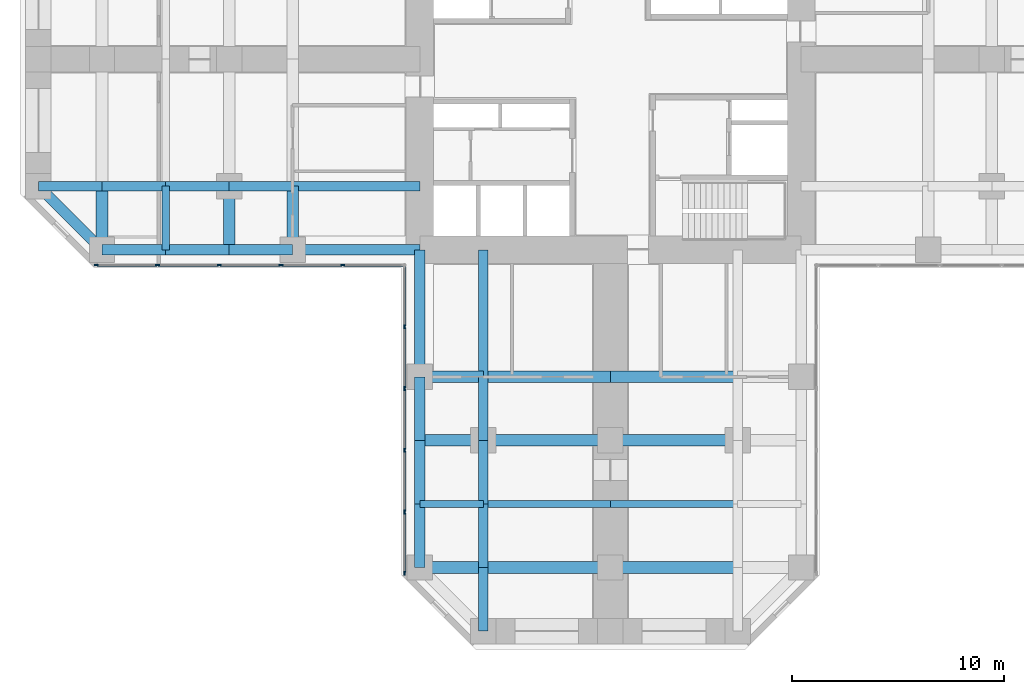
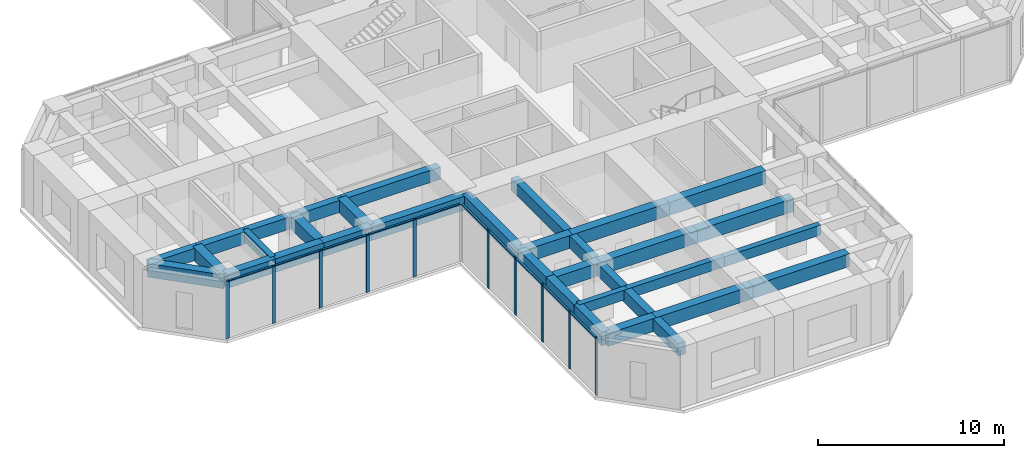
# One storey, part 2 of 12: 35 beams, 20 members, 2 elements without a shape of their own.
"""IFC4 building model written with IfcOpenShell, lengths in metres."""

from ifc_helpers import new_model, si_unit, direction, frame, origin, origin_2d, place, context, subcontext, project, spatial, rectangle, extrude, material, material_profile, profile_set, type_object, element, aggregate, save


model = new_model("IFC4")

# Units and contexts
model_context = context("Model", 3, precision=1e-05, world=origin(), true_north=direction((0.0, 1.0)))
body_context = subcontext(model_context, "Body", "Model", "MODEL_VIEW")
ifc_project = project(units=[si_unit("LENGTHUNIT", "METRE"), si_unit("AREAUNIT", "SQUARE_METRE"), si_unit("VOLUMEUNIT", "CUBIC_METRE"), si_unit("PLANEANGLEUNIT", "RADIAN"), si_unit("MASSUNIT", "GRAM", prefix="KILO")], contexts=[model_context])

# Site, building, storey
site_placement = place(None, origin())
site = spatial("IfcSite", under=ifc_project, at=site_placement, CompositionType="ELEMENT")
building_placement = place(site_placement, origin())
building = spatial("IfcBuilding", under=site, at=building_placement, Name="Torre Cruceta", CompositionType="ELEMENT")
storey_placement = place(building_placement, frame((0.0, 0.0, 43.5)))
storey = spatial("IfcBuildingStorey", under=building, at=storey_placement, Name="L10", CompositionType="ELEMENT", Elevation=43.5)

# Beams
ifc_material_1 = material(Name="Concrete G60 (fck 60 MPa)", Category="concrete")
ifc_material_profile_1 = material_profile(ifc_material_1, rectangle(XDim=0.449951171875, YDim=0.800048828125, at=origin_2d()), Name="RC 450X800")
ifc_profile_set_1 = profile_set([ifc_material_profile_1], Name="Concrete G60 (fck 60 MPa)")
beam_type_1 = type_object("IfcBeamType", Name="COLUMN LINE BEAM RC 450X800", PredefinedType="BEAM", material=ifc_profile_set_1)
beam_1_placement = place(storey_placement, frame((-6.0, -9.0, 3.39990234375), z_axis=(0.0, -1.0, 0.0), x_axis=(1.0, 0.0, 0.0)))
element("IfcBeam", 1, at=beam_1_placement, inside=storey, type_object=beam_type_1, Name="LB1 L10 S col- 1", PredefinedType="BEAM", context=body_context, shape_type="SweptSolid", body=[
    extrude(rectangle(XDim=0.449951171875, YDim=0.800048828125, at=origin_2d()), origin(), (0.0, 0.0, 1.0), 6.0),
])
for number, where, z_axis, x_axis, name in (
    (2, (-6.0, -15.0, 3.39990234375), (0.0, -1.0, 0.0), (1.0, 0.0, 0.0), "LB1 L10 S col- 2"),
    (3, (-6.0, -18.0, 3.39990234375), (0.0, -1.0, 0.0), (1.0, 0.0, 0.0), "LB1 L10 S col- 3"),
    (4, (-6.0, -21.0, 3.39990234375), (0.0, -1.0, 0.0), (1.0, 0.0, 0.0), "LB1 L10 S col- 4"),
    (5, (-6.0, -24.0, 3.39990234375), (0.0, -1.0, 0.0), (1.0, 0.0, 0.0), "LB1 L10 S col- 5"),
):
    element("IfcBeam", number, at=place(storey_placement, frame(where, z_axis=z_axis, x_axis=x_axis)), inside=storey, type_object=beam_type_1, Name=name, PredefinedType="BEAM", context=body_context, shape_type="SweptSolid", body=[
        extrude(rectangle(XDim=0.449951171875, YDim=0.800048828125, at=origin_2d()), origin(), (0.0, 0.0, 1.0), 3.0),
    ])
beam_2_placement = place(storey_placement, frame((-9.0, -6.0, 3.39990234375), z_axis=(-1.0, 0.0, 0.0), x_axis=(0.0, -1.0, 0.0)))
element("IfcBeam", 6, at=beam_2_placement, inside=storey, type_object=beam_type_1, Name="LB1 L10 W col+ 1", PredefinedType="BEAM", context=body_context, shape_type="SweptSolid", body=[
    extrude(rectangle(XDim=0.449951171875, YDim=0.800048828125, at=origin_2d()), origin(), (0.0, 0.0, 1.0), 6.0),
])
for number, where, z_axis, x_axis, name in (
    (7, (-15.0, -6.0, 3.39990234375), (-1.0, 0.0, 0.0), (0.0, -1.0, 0.0), "LB1 L10 W col+ 2"),
    (8, (-18.0, -6.0, 3.39990234375), (-1.0, 0.0, 0.0), (0.0, -1.0, 0.0), "LB1 L10 W col+ 3"),
    (9, (-21.0, -6.0, 3.39990234375), (-1.0, 0.0, 0.0), (0.0, -1.0, 0.0), "LB1 L10 W col+ 4"),
    (10, (-24.0, -6.0, 3.39990234375), (-1.0, 0.0, 0.0), (0.0, -1.0, 0.0), "LB1 L10 W col+ 5"),
):
    element("IfcBeam", number, at=place(storey_placement, frame(where, z_axis=z_axis, x_axis=x_axis)), inside=storey, type_object=beam_type_1, Name=name, PredefinedType="BEAM", context=body_context, shape_type="SweptSolid", body=[
        extrude(rectangle(XDim=0.449951171875, YDim=0.800048828125, at=origin_2d()), origin(), (0.0, 0.0, 1.0), 3.0),
    ])
ifc_material_2 = material(Name="Concrete G60 (fck 60 MPa)", Category="concrete")
ifc_material_profile_2 = material_profile(ifc_material_2, rectangle(XDim=0.550048828125, YDim=0.85009765625, at=origin_2d()), Name="RC 550X850")
ifc_profile_set_2 = profile_set([ifc_material_profile_2], Name="Concrete G60 (fck 60 MPa)")
beam_type_2 = type_object("IfcBeamType", Name="CROSS BEAM RC 550X850", PredefinedType="BEAM", material=ifc_profile_set_2)
beam_3_placement = place(storey_placement, frame((-9.0, -15.0, 3.375), z_axis=(1.0, 0.0, 0.0), x_axis=(0.0, 1.0, 0.0)))
element("IfcBeam", 11, at=beam_3_placement, inside=storey, type_object=beam_type_2, Name="GB4 L10 S cross15 1", PredefinedType="BEAM", context=body_context, shape_type="SweptSolid", body=[
    extrude(rectangle(XDim=0.550048828125, YDim=0.85009765625, at=origin_2d()), origin(), (0.0, 0.0, 1.0), 3.0),
])
for number, where, z_axis, x_axis, name in (
    (12, (-6.0, -15.0, 3.375), (1.0, 0.0, 0.0), (0.0, 1.0, 0.0), "GB4 L10 S cross15 2"),
    (13, (0.0, -15.0, 3.375), (1.0, 0.0, 0.0), (0.0, 1.0, 0.0), "GB4 L10 S cross15 3"),
):
    element("IfcBeam", number, at=place(storey_placement, frame(where, z_axis=z_axis, x_axis=x_axis)), inside=storey, type_object=beam_type_2, Name=name, PredefinedType="BEAM", context=body_context, shape_type="SweptSolid", body=[
        extrude(rectangle(XDim=0.550048828125, YDim=0.85009765625, at=origin_2d()), origin(), (0.0, 0.0, 1.0), 6.0),
    ])
beam_4_placement = place(storey_placement, frame((-9.0, -18.0, 3.375), z_axis=(1.0, 0.0, 0.0), x_axis=(0.0, 1.0, 0.0)))
element("IfcBeam", 14, at=beam_4_placement, inside=storey, type_object=beam_type_2, Name="GB4 L10 S cross18 1", PredefinedType="BEAM", context=body_context, shape_type="SweptSolid", body=[
    extrude(rectangle(XDim=0.550048828125, YDim=0.85009765625, at=origin_2d()), origin(), (0.0, 0.0, 1.0), 3.0),
])
for number, where, z_axis, x_axis, name in (
    (15, (-6.0, -18.0, 3.375), (1.0, 0.0, 0.0), (0.0, 1.0, 0.0), "GB4 L10 S cross18 2"),
    (16, (0.0, -18.0, 3.375), (1.0, 0.0, 0.0), (0.0, 1.0, 0.0), "GB4 L10 S cross18 3"),
):
    element("IfcBeam", number, at=place(storey_placement, frame(where, z_axis=z_axis, x_axis=x_axis)), inside=storey, type_object=beam_type_2, Name=name, PredefinedType="BEAM", context=body_context, shape_type="SweptSolid", body=[
        extrude(rectangle(XDim=0.550048828125, YDim=0.85009765625, at=origin_2d()), origin(), (0.0, 0.0, 1.0), 6.0),
    ])
beam_5_placement = place(storey_placement, frame((-9.0, -24.0, 3.375), z_axis=(1.0, 0.0, 0.0), x_axis=(0.0, 1.0, 0.0)))
element("IfcBeam", 17, at=beam_5_placement, inside=storey, type_object=beam_type_2, Name="GB4 L10 S cross24 1", PredefinedType="BEAM", context=body_context, shape_type="SweptSolid", body=[
    extrude(rectangle(XDim=0.550048828125, YDim=0.85009765625, at=origin_2d()), origin(), (0.0, 0.0, 1.0), 3.0),
])
for number, where, z_axis, x_axis, name in (
    (18, (-6.0, -24.0, 3.375), (1.0, 0.0, 0.0), (0.0, 1.0, 0.0), "GB4 L10 S cross24 2"),
    (19, (0.0, -24.0, 3.375), (1.0, 0.0, 0.0), (0.0, 1.0, 0.0), "GB4 L10 S cross24 3"),
):
    element("IfcBeam", number, at=place(storey_placement, frame(where, z_axis=z_axis, x_axis=x_axis)), inside=storey, type_object=beam_type_2, Name=name, PredefinedType="BEAM", context=body_context, shape_type="SweptSolid", body=[
        extrude(rectangle(XDim=0.550048828125, YDim=0.85009765625, at=origin_2d()), origin(), (0.0, 0.0, 1.0), 6.0),
    ])
for number, where, z_axis, x_axis, name in (
    (20, (-15.0, -6.0, 3.375), (0.0, -1.0, 0.0), (1.0, 0.0, 0.0), "GB4 L10 W cross15 4"),
    (21, (-18.0, -6.0, 3.375), (0.0, -1.0, 0.0), (1.0, 0.0, 0.0), "GB4 L10 W cross18 4"),
    (22, (-24.0, -6.0, 3.375), (0.0, -1.0, 0.0), (1.0, 0.0, 0.0), "GB4 L10 W cross24 4"),
):
    element("IfcBeam", number, at=place(storey_placement, frame(where, z_axis=z_axis, x_axis=x_axis)), inside=storey, type_object=beam_type_2, Name=name, PredefinedType="BEAM", context=body_context, shape_type="SweptSolid", body=[
        extrude(rectangle(XDim=0.550048828125, YDim=0.85009765625, at=origin_2d()), origin(), (0.0, 0.0, 1.0), 3.0),
    ])

# Curtain wall, members
ifc_material_3 = material(Name="Aluminium unitised curtain wall", Category="aluminium")
curtain_wall_type = type_object("IfcCurtainWallType", Name="CURTAIN WALL CW-A OFFICE LOW RISE", PredefinedType="USERDEFINED", material=ifc_material_3)
curtain_wall_1_placement = place(storey_placement, origin())
curtain_wall_1 = element("IfcCurtainWall", 23, at=curtain_wall_1_placement, inside=storey, type_object=curtain_wall_type, Name="CW-A L10 W side 14", ObjectType="UNITISED", PredefinedType="USERDEFINED")
ifc_material_4 = material(Name="Aluminium mullion", Category="aluminium")
ifc_material_profile_3 = material_profile(ifc_material_4, rectangle(XDim=0.06494140625, YDim=0.199951171875, at=origin_2d()), Name="AL 65X200")
ifc_profile_set_3 = profile_set([ifc_material_profile_3], Name="Aluminium mullion")
member_type_1 = type_object("IfcMemberType", Name="CW-A MULLION 65X200", PredefinedType="MULLION", material=ifc_profile_set_3)
member_1_placement = place(storey_placement, frame((-24.265625, -9.719970703125, 0.0), z_axis=(0.0, 0.0, 1.0), x_axis=(0.0, 1.0, 0.0)))
member_1 = element("IfcMember", 24, at=member_1_placement, type_object=member_type_1, Name="CW-A mullion 1", PredefinedType="MULLION", context=body_context, shape_type="SweptSolid", body=[
    extrude(rectangle(XDim=0.06494140625, YDim=0.199951171875, at=origin_2d()), origin(), (0.0, 0.0, 1.0), 3.800048828125),
])
member_2_placement = place(storey_placement, frame((-21.382568359375, -9.719970703125, 0.0), z_axis=(0.0, 0.0, 1.0), x_axis=(0.0, 1.0, 0.0)))
member_2 = element("IfcMember", 25, at=member_2_placement, type_object=member_type_1, Name="CW-A mullion 2", PredefinedType="MULLION", context=body_context, shape_type="SweptSolid", body=[
    extrude(rectangle(XDim=0.06494140625, YDim=0.199951171875, at=origin_2d()), origin(), (0.0, 0.0, 1.0), 3.800048828125),
])
member_3_placement = place(storey_placement, frame((-18.467041015625, -9.719970703125, 0.0), z_axis=(0.0, 0.0, 1.0), x_axis=(0.0, 1.0, 0.0)))
member_3 = element("IfcMember", 26, at=member_3_placement, type_object=member_type_1, Name="CW-A mullion 3", PredefinedType="MULLION", context=body_context, shape_type="SweptSolid", body=[
    extrude(rectangle(XDim=0.06494140625, YDim=0.199951171875, at=origin_2d()), origin(), (0.0, 0.0, 1.0), 3.800048828125),
])
member_4_placement = place(storey_placement, frame((-15.55126953125, -9.719970703125, 0.0), z_axis=(0.0, 0.0, 1.0), x_axis=(0.0, 1.0, 0.0)))
member_4 = element("IfcMember", 27, at=member_4_placement, type_object=member_type_1, Name="CW-A mullion 4", PredefinedType="MULLION", context=body_context, shape_type="SweptSolid", body=[
    extrude(rectangle(XDim=0.06494140625, YDim=0.199951171875, at=origin_2d()), origin(), (0.0, 0.0, 1.0), 3.800048828125),
])
member_5_placement = place(storey_placement, frame((-12.6357421875, -9.719970703125, 0.0), z_axis=(0.0, 0.0, 1.0), x_axis=(0.0, 1.0, 0.0)))
member_5 = element("IfcMember", 28, at=member_5_placement, type_object=member_type_1, Name="CW-A mullion 5", PredefinedType="MULLION", context=body_context, shape_type="SweptSolid", body=[
    extrude(rectangle(XDim=0.06494140625, YDim=0.199951171875, at=origin_2d()), origin(), (0.0, 0.0, 1.0), 3.800048828125),
])

curtain_wall_2_placement = place(storey_placement, origin())
curtain_wall_2 = element("IfcCurtainWall", 29, at=curtain_wall_2_placement, inside=storey, type_object=curtain_wall_type, Name="CW-A L10 S side 15", ObjectType="UNITISED", PredefinedType="USERDEFINED")
member_6_placement = place(storey_placement, frame((-9.719970703125, -12.6357421875, 0.0), z_axis=(0.0, 0.0, 1.0), x_axis=(1.0, 0.0, 0.0)))
member_6 = element("IfcMember", 30, at=member_6_placement, type_object=member_type_1, Name="CW-A mullion 2", PredefinedType="MULLION", context=body_context, shape_type="SweptSolid", body=[
    extrude(rectangle(XDim=0.06494140625, YDim=0.199951171875, at=origin_2d()), origin(), (0.0, 0.0, 1.0), 3.800048828125),
])
member_7_placement = place(storey_placement, frame((-9.719970703125, -15.55126953125, 0.0), z_axis=(0.0, 0.0, 1.0), x_axis=(1.0, 0.0, 0.0)))
member_7 = element("IfcMember", 31, at=member_7_placement, type_object=member_type_1, Name="CW-A mullion 3", PredefinedType="MULLION", context=body_context, shape_type="SweptSolid", body=[
    extrude(rectangle(XDim=0.06494140625, YDim=0.199951171875, at=origin_2d()), origin(), (0.0, 0.0, 1.0), 3.800048828125),
])
member_8_placement = place(storey_placement, frame((-9.719970703125, -18.467041015625, 0.0), z_axis=(0.0, 0.0, 1.0), x_axis=(1.0, 0.0, 0.0)))
member_8 = element("IfcMember", 32, at=member_8_placement, type_object=member_type_1, Name="CW-A mullion 4", PredefinedType="MULLION", context=body_context, shape_type="SweptSolid", body=[
    extrude(rectangle(XDim=0.06494140625, YDim=0.199951171875, at=origin_2d()), origin(), (0.0, 0.0, 1.0), 3.800048828125),
])
member_9_placement = place(storey_placement, frame((-9.719970703125, -21.382568359375, 0.0), z_axis=(0.0, 0.0, 1.0), x_axis=(1.0, 0.0, 0.0)))
member_9 = element("IfcMember", 33, at=member_9_placement, type_object=member_type_1, Name="CW-A mullion 5", PredefinedType="MULLION", context=body_context, shape_type="SweptSolid", body=[
    extrude(rectangle(XDim=0.06494140625, YDim=0.199951171875, at=origin_2d()), origin(), (0.0, 0.0, 1.0), 3.800048828125),
])
member_10_placement = place(storey_placement, frame((-9.719970703125, -24.265625, 0.0), z_axis=(0.0, 0.0, 1.0), x_axis=(1.0, 0.0, 0.0)))
member_10 = element("IfcMember", 34, at=member_10_placement, type_object=member_type_1, Name="CW-A mullion 6", PredefinedType="MULLION", context=body_context, shape_type="SweptSolid", body=[
    extrude(rectangle(XDim=0.06494140625, YDim=0.199951171875, at=origin_2d()), origin(), (0.0, 0.0, 1.0), 3.800048828125),
])

# Member
ifc_material_5 = material(Name="Aluminium transom", Category="aluminium")
ifc_material_profile_4 = material_profile(ifc_material_5, rectangle(XDim=0.1201171875, YDim=0.06494140625, at=origin_2d()), Name="AL 120X65")
ifc_profile_set_4 = profile_set([ifc_material_profile_4], Name="Aluminium transom")
member_type_2 = type_object("IfcMemberType", Name="CW-A TRANSOM 65X120", PredefinedType="USERDEFINED", material=ifc_profile_set_4)
member_11_placement = place(storey_placement, frame((-24.233154296875, -9.719970703125, 3.767578125), z_axis=(1.0, 0.0, 0.0), x_axis=(0.0, 1.0, 0.0)))
member_11 = element("IfcMember", 35, at=member_11_placement, type_object=member_type_2, Name="CW-A transom 1", ObjectType="TRANSOM", PredefinedType="USERDEFINED", context=body_context, shape_type="SweptSolid", body=[
    extrude(rectangle(XDim=0.1201171875, YDim=0.06494140625, at=origin_2d()), origin(), (0.0, 0.0, 1.0), 2.818115234375),
])

member_12_placement = place(storey_placement, frame((-21.35009765625, -9.719970703125, 3.767578125), z_axis=(1.0, 0.0, 0.0), x_axis=(0.0, 1.0, 0.0)))
member_12 = element("IfcMember", 36, at=member_12_placement, type_object=member_type_2, Name="CW-A transom 2", ObjectType="TRANSOM", PredefinedType="USERDEFINED", context=body_context, shape_type="SweptSolid", body=[
    extrude(rectangle(XDim=0.1201171875, YDim=0.06494140625, at=origin_2d()), origin(), (0.0, 0.0, 1.0), 2.8505859375),
])

member_13_placement = place(storey_placement, frame((-18.434326171875, -9.719970703125, 3.767578125), z_axis=(1.0, 0.0, 0.0), x_axis=(0.0, 1.0, 0.0)))
member_13 = element("IfcMember", 37, at=member_13_placement, type_object=member_type_2, Name="CW-A transom 3", ObjectType="TRANSOM", PredefinedType="USERDEFINED", context=body_context, shape_type="SweptSolid", body=[
    extrude(rectangle(XDim=0.1201171875, YDim=0.06494140625, at=origin_2d()), origin(), (0.0, 0.0, 1.0), 2.8505859375),
])

member_14_placement = place(storey_placement, frame((-15.518798828125, -9.719970703125, 3.767578125), z_axis=(1.0, 0.0, 0.0), x_axis=(0.0, 1.0, 0.0)))
member_14 = element("IfcMember", 38, at=member_14_placement, type_object=member_type_2, Name="CW-A transom 4", ObjectType="TRANSOM", PredefinedType="USERDEFINED", context=body_context, shape_type="SweptSolid", body=[
    extrude(rectangle(XDim=0.1201171875, YDim=0.06494140625, at=origin_2d()), origin(), (0.0, 0.0, 1.0), 2.8505859375),
])

member_15_placement = place(storey_placement, frame((-12.60302734375, -9.719970703125, 3.767578125), z_axis=(1.0, 0.0, 0.0), x_axis=(0.0, 1.0, 0.0)))
member_15 = element("IfcMember", 39, at=member_15_placement, type_object=member_type_2, Name="CW-A transom 5", ObjectType="TRANSOM", PredefinedType="USERDEFINED", context=body_context, shape_type="SweptSolid", body=[
    extrude(rectangle(XDim=0.1201171875, YDim=0.06494140625, at=origin_2d()), origin(), (0.0, 0.0, 1.0), 2.818115234375),
])

aggregate(curtain_wall_1, [member_1, member_2, member_3, member_4, member_5, member_11, member_12, member_13, member_14, member_15])

member_16_placement = place(storey_placement, frame((-9.719970703125, -9.784912109375, 3.767578125), z_axis=(0.0, -1.0, 0.0), x_axis=(1.0, 0.0, 0.0)))
member_16 = element("IfcMember", 40, at=member_16_placement, type_object=member_type_2, Name="CW-A transom 1", ObjectType="TRANSOM", PredefinedType="USERDEFINED", context=body_context, shape_type="SweptSolid", body=[
    extrude(rectangle(XDim=0.1201171875, YDim=0.06494140625, at=origin_2d()), origin(), (0.0, 0.0, 1.0), 2.818115234375),
])

member_17_placement = place(storey_placement, frame((-9.719970703125, -12.668212890625, 3.767578125), z_axis=(0.0, -1.0, 0.0), x_axis=(1.0, 0.0, 0.0)))
member_17 = element("IfcMember", 41, at=member_17_placement, type_object=member_type_2, Name="CW-A transom 2", ObjectType="TRANSOM", PredefinedType="USERDEFINED", context=body_context, shape_type="SweptSolid", body=[
    extrude(rectangle(XDim=0.1201171875, YDim=0.06494140625, at=origin_2d()), origin(), (0.0, 0.0, 1.0), 2.8505859375),
])

member_18_placement = place(storey_placement, frame((-9.719970703125, -15.583740234375, 3.767578125), z_axis=(0.0, -1.0, 0.0), x_axis=(1.0, 0.0, 0.0)))
member_18 = element("IfcMember", 42, at=member_18_placement, type_object=member_type_2, Name="CW-A transom 3", ObjectType="TRANSOM", PredefinedType="USERDEFINED", context=body_context, shape_type="SweptSolid", body=[
    extrude(rectangle(XDim=0.1201171875, YDim=0.06494140625, at=origin_2d()), origin(), (0.0, 0.0, 1.0), 2.8505859375),
])

member_19_placement = place(storey_placement, frame((-9.719970703125, -18.49951171875, 3.767578125), z_axis=(0.0, -1.0, 0.0), x_axis=(1.0, 0.0, 0.0)))
member_19 = element("IfcMember", 43, at=member_19_placement, type_object=member_type_2, Name="CW-A transom 4", ObjectType="TRANSOM", PredefinedType="USERDEFINED", context=body_context, shape_type="SweptSolid", body=[
    extrude(rectangle(XDim=0.1201171875, YDim=0.06494140625, at=origin_2d()), origin(), (0.0, 0.0, 1.0), 2.8505859375),
])

member_20_placement = place(storey_placement, frame((-9.719970703125, -21.4150390625, 3.767578125), z_axis=(0.0, -1.0, 0.0), x_axis=(1.0, 0.0, 0.0)))
member_20 = element("IfcMember", 44, at=member_20_placement, type_object=member_type_2, Name="CW-A transom 5", ObjectType="TRANSOM", PredefinedType="USERDEFINED", context=body_context, shape_type="SweptSolid", body=[
    extrude(rectangle(XDim=0.1201171875, YDim=0.06494140625, at=origin_2d()), origin(), (0.0, 0.0, 1.0), 2.818115234375),
])

aggregate(curtain_wall_2, [member_6, member_7, member_8, member_9, member_10, member_16, member_17, member_18, member_19, member_20])

# Beams
ifc_material_6 = material(Name="Concrete G60 (fck 60 MPa)", Category="concrete")
ifc_material_profile_5 = material_profile(ifc_material_6, rectangle(XDim=0.35009765625, YDim=0.64990234375, at=origin_2d()), Name="RC 350X650")
ifc_profile_set_5 = profile_set([ifc_material_profile_5], Name="Concrete G60 (fck 60 MPa)")
beam_type_3 = type_object("IfcBeamType", Name="SECONDARY BEAM RC 350X650", PredefinedType="JOIST", material=ifc_profile_set_5)
beam_6_placement = place(storey_placement, frame((-9.0, -21.0, 3.47509765625), z_axis=(1.0, 0.0, 0.0), x_axis=(0.0, 1.0, 0.0)))
element("IfcBeam", 45, at=beam_6_placement, inside=storey, type_object=beam_type_3, Name="JB3 L10 S sec21 1", PredefinedType="JOIST", context=body_context, shape_type="SweptSolid", body=[
    extrude(rectangle(XDim=0.35009765625, YDim=0.64990234375, at=origin_2d()), origin(), (0.0, 0.0, 1.0), 3.0),
])
for number, where, z_axis, x_axis, name in (
    (46, (-6.0, -21.0, 3.47509765625), (1.0, 0.0, 0.0), (0.0, 1.0, 0.0), "JB3 L10 S sec21 2"),
    (47, (0.0, -21.0, 3.47509765625), (1.0, 0.0, 0.0), (0.0, 1.0, 0.0), "JB3 L10 S sec21 3"),
):
    element("IfcBeam", number, at=place(storey_placement, frame(where, z_axis=z_axis, x_axis=x_axis)), inside=storey, type_object=beam_type_3, Name=name, PredefinedType="JOIST", context=body_context, shape_type="SweptSolid", body=[
        extrude(rectangle(XDim=0.35009765625, YDim=0.64990234375, at=origin_2d()), origin(), (0.0, 0.0, 1.0), 6.0),
    ])
beam_7_placement = place(storey_placement, frame((-21.0, -6.0, 3.47509765625), z_axis=(0.0, -1.0, 0.0), x_axis=(1.0, 0.0, 0.0)))
element("IfcBeam", 48, at=beam_7_placement, inside=storey, type_object=beam_type_3, Name="JB3 L10 W sec21 4", PredefinedType="JOIST", context=body_context, shape_type="SweptSolid", body=[
    extrude(rectangle(XDim=0.35009765625, YDim=0.64990234375, at=origin_2d()), origin(), (0.0, 0.0, 1.0), 3.0),
])
ifc_material_7 = material(Name="Concrete G60 (fck 60 MPa)", Category="concrete")
ifc_material_profile_6 = material_profile(ifc_material_7, rectangle(XDim=0.5, YDim=0.89990234375, at=origin_2d()), Name="RC 500X900")
ifc_profile_set_6 = profile_set([ifc_material_profile_6], Name="Concrete G60 (fck 60 MPa)")
beam_type_4 = type_object("IfcBeamType", Name="SPANDREL BEAM RC 500X900", PredefinedType="SPANDREL", material=ifc_profile_set_6)
beam_8_placement = place(storey_placement, frame((-9.0, -9.0, 3.35009765625), z_axis=(0.0, -1.0, 0.0), x_axis=(1.0, 0.0, 0.0)))
element("IfcBeam", 49, at=beam_8_placement, inside=storey, type_object=beam_type_4, Name="SB4 L10 S side- 1", PredefinedType="SPANDREL", context=body_context, shape_type="SweptSolid", body=[
    extrude(rectangle(XDim=0.5, YDim=0.89990234375, at=origin_2d()), origin(), (0.0, 0.0, 1.0), 6.0),
])
for number, where, z_axis, x_axis, name in (
    (50, (-9.0, -15.0, 3.35009765625), (0.0, -1.0, 0.0), (1.0, 0.0, 0.0), "SB4 L10 S side- 2"),
    (51, (-9.0, -18.0, 3.35009765625), (0.0, -1.0, 0.0), (1.0, 0.0, 0.0), "SB4 L10 S side- 3"),
    (52, (-9.0, -21.0, 3.35009765625), (0.0, -1.0, 0.0), (1.0, 0.0, 0.0), "SB4 L10 S side- 4"),
):
    element("IfcBeam", number, at=place(storey_placement, frame(where, z_axis=z_axis, x_axis=x_axis)), inside=storey, type_object=beam_type_4, Name=name, PredefinedType="SPANDREL", context=body_context, shape_type="SweptSolid", body=[
        extrude(rectangle(XDim=0.5, YDim=0.89990234375, at=origin_2d()), origin(), (0.0, 0.0, 1.0), 3.0),
    ])
beam_9_placement = place(storey_placement, frame((-9.0, -9.0, 3.35009765625), z_axis=(-1.0, 0.0, 0.0), x_axis=(0.0, -1.0, 0.0)))
element("IfcBeam", 53, at=beam_9_placement, inside=storey, type_object=beam_type_4, Name="SB4 L10 W side+ 1", PredefinedType="SPANDREL", context=body_context, shape_type="SweptSolid", body=[
    extrude(rectangle(XDim=0.5, YDim=0.89990234375, at=origin_2d()), origin(), (0.0, 0.0, 1.0), 6.0),
])
for number, where, z_axis, x_axis, name in (
    (54, (-15.0, -9.0, 3.35009765625), (-1.0, 0.0, 0.0), (0.0, -1.0, 0.0), "SB4 L10 W side+ 2"),
    (55, (-18.0, -9.0, 3.35009765625), (-1.0, 0.0, 0.0), (0.0, -1.0, 0.0), "SB4 L10 W side+ 3"),
    (56, (-21.0, -9.0, 3.35009765625), (-1.0, 0.0, 0.0), (0.0, -1.0, 0.0), "SB4 L10 W side+ 4"),
):
    element("IfcBeam", number, at=place(storey_placement, frame(where, z_axis=z_axis, x_axis=x_axis)), inside=storey, type_object=beam_type_4, Name=name, PredefinedType="SPANDREL", context=body_context, shape_type="SweptSolid", body=[
        extrude(rectangle(XDim=0.5, YDim=0.89990234375, at=origin_2d()), origin(), (0.0, 0.0, 1.0), 3.0),
    ])
beam_10_placement = place(storey_placement, frame((-24.0, -9.0, 3.35009765625), z_axis=(-0.707106781187, 0.707106781187, 0.0), x_axis=(-0.707106781187, -0.707106781187, 0.0)))
element("IfcBeam", 57, at=beam_10_placement, inside=storey, type_object=beam_type_4, Name="SB4 L10 W side+ 5", PredefinedType="SPANDREL", context=body_context, shape_type="SweptSolid", body=[
    extrude(rectangle(XDim=0.5, YDim=0.89990234375, at=origin_2d()), origin(), (0.0, 0.0, 1.0), 4.24267578125),
])

save(model, "model.ifc")
